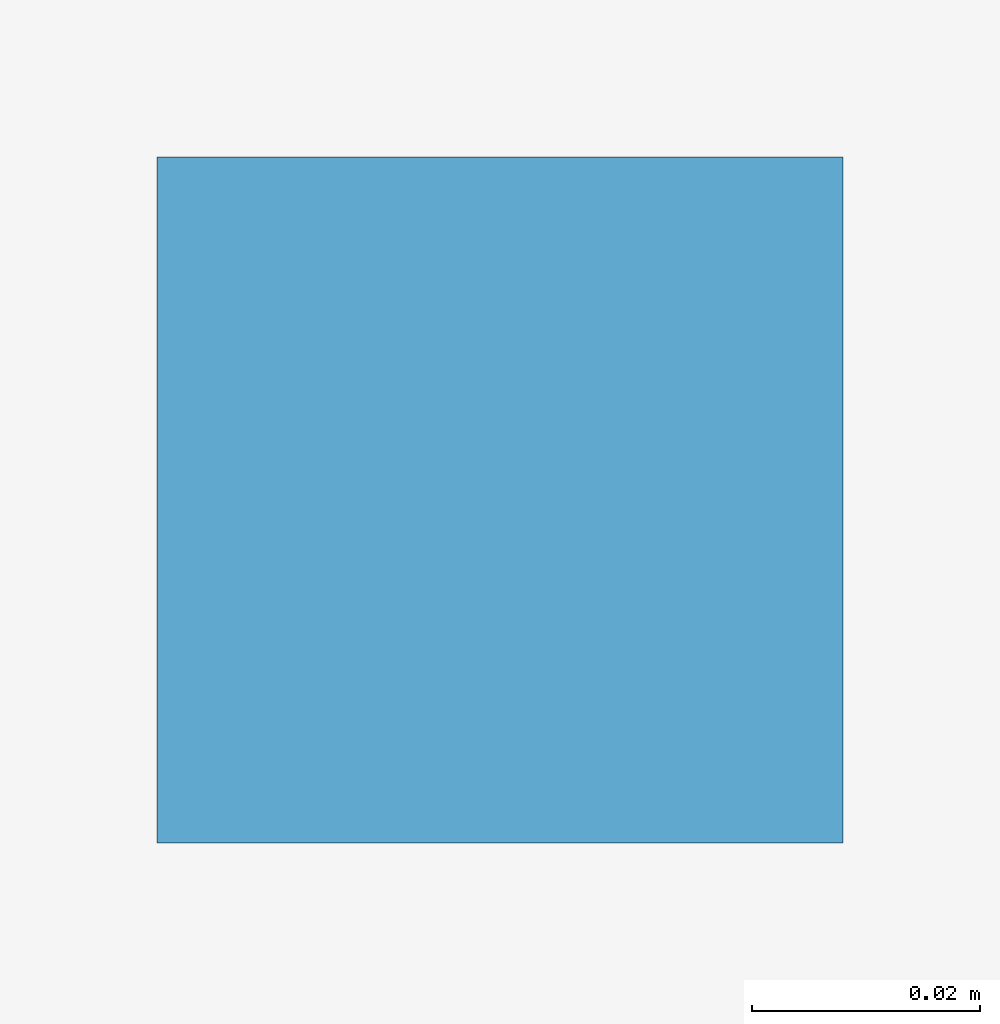
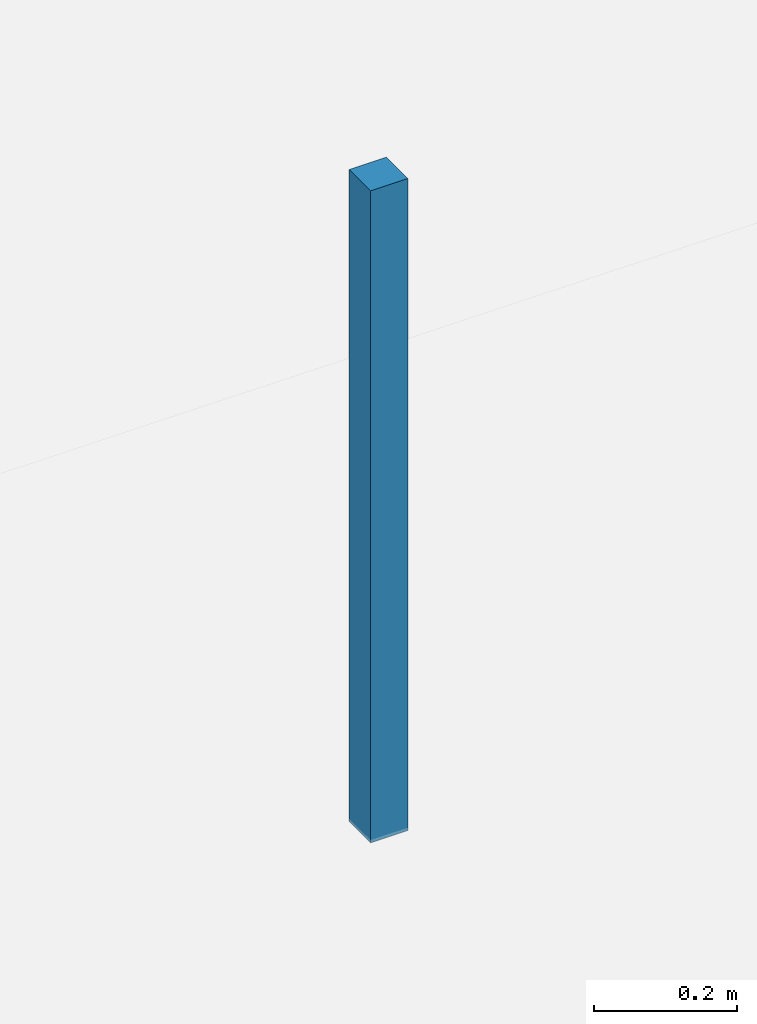
# One storey, part 111 of 139: 1 discrete accessory.
"""IFC4 building model written with IfcOpenShell, lengths in metres."""

from ifc_helpers import new_model, si_unit, derived_unit, direction, frame, origin, origin_2d, place, context, subcontext, project, spatial, rectangle, extrude, material, layer, layer_set, type_object, element, save


model = new_model("IFC4")

# Units and contexts
model_context = context("Model", 3, precision=1e-05, world=origin(), true_north=direction((0.0, 1.0)))
body_context = subcontext(model_context, "Body", "Model", "MODEL_VIEW")
ifc_project = project(units=[si_unit("LENGTHUNIT", "METRE"), si_unit("AREAUNIT", "SQUARE_METRE"), si_unit("VOLUMEUNIT", "CUBIC_METRE"), si_unit("PLANEANGLEUNIT", "RADIAN"), si_unit("MASSUNIT", "GRAM", prefix="KILO"), derived_unit("THERMALTRANSMITTANCEUNIT", [(si_unit("MASSUNIT", "GRAM", prefix="KILO"), 1), (si_unit("TIMEUNIT", "SECOND"), -3), (si_unit("THERMODYNAMICTEMPERATUREUNIT", "KELVIN"), -1)])], contexts=[model_context])

# Site, building, storey
site_placement = place(None, origin())
site = spatial("IfcSite", under=ifc_project, at=site_placement, CompositionType="ELEMENT")
building_placement = place(site_placement, origin())
building = spatial("IfcBuilding", under=site, at=building_placement, Name="Makaiwela Harbour Ferry Terminal", CompositionType="ELEMENT")
storey_placement = place(building_placement, frame((0.0, 0.0, 5.10009765625)))
storey = spatial("IfcBuildingStorey", under=building, at=storey_placement, Name="L01", CompositionType="ELEMENT", Elevation=5.10009765625)

# Discrete accessory
ifc_material = material(Name="Marine grade 316L brushed stainless steel", Category="steel")
ifc_layer = layer(ifc_material, 1.0)
ifc_layer_set = layer_set([ifc_layer], Name="Marine grade 316L brushed stainless steel")
discrete_accessory_type = type_object("IfcDiscreteAccessoryType", Name="INT-ACC-HNG", PredefinedType="BRACKET", material=ifc_layer_set)
discrete_accessory_placement = place(storey_placement, frame((42.89990234375, 37.625, 3.134765625), z_axis=(0.0, 0.0, 1.0), x_axis=(1.0, 0.0, 0.0)))
element("IfcDiscreteAccessory", 1, at=discrete_accessory_placement, inside=storey, type_object=discrete_accessory_type, Name="Ceiling Suspension Bracket HNG-036", PredefinedType="BRACKET", context=body_context, shape_type="SweptSolid", body=[
    extrude(rectangle(XDim=0.06005859375, YDim=0.06005859375, at=origin_2d()), origin(), (0.0, 0.0, 1.0), 1.110107421875),
])

save(model, "model.ifc")
